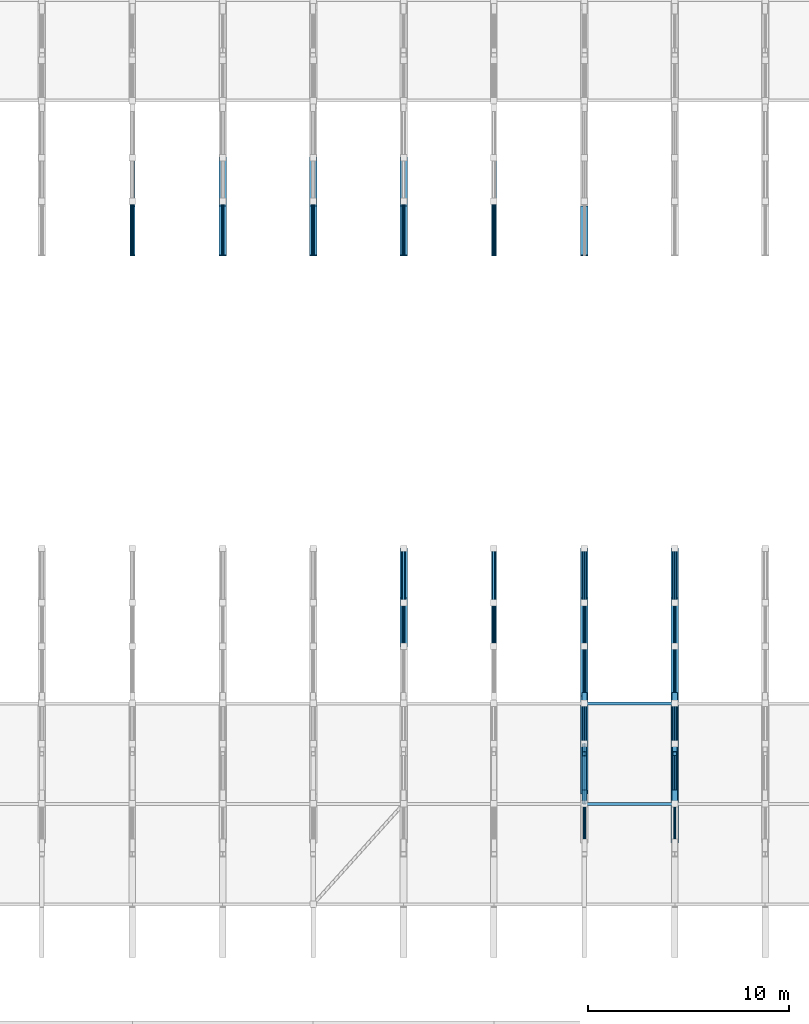
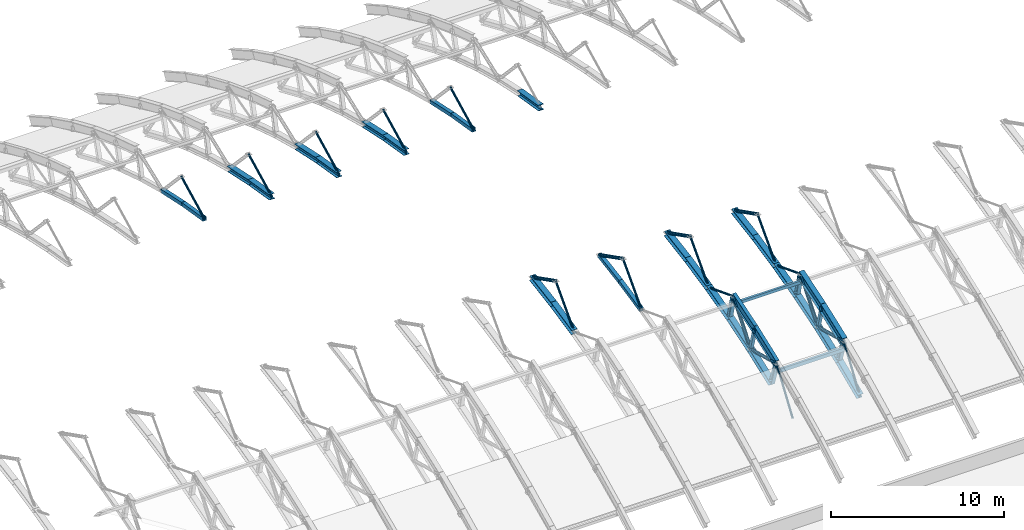
# One storey, part 43 of 103: 55 members, 4 beams.
"""IFC4 building model written with IfcOpenShell, lengths in metres."""

from ifc_helpers import new_model, si_unit, direction, frame, origin, origin_2d, place, context, subcontext, project, spatial, hollow_rectangle, hollow_circle, i_section, extrude, material, material_profile, profile_set, type_object, element, save


model = new_model("IFC4")

# Units and contexts
model_context = context("Model", 3, precision=1e-05, world=origin(), true_north=direction((0.0, 1.0)))
body_context = subcontext(model_context, "Body", "Model", "MODEL_VIEW")
ifc_project = project(units=[si_unit("LENGTHUNIT", "METRE"), si_unit("AREAUNIT", "SQUARE_METRE"), si_unit("VOLUMEUNIT", "CUBIC_METRE"), si_unit("PLANEANGLEUNIT", "RADIAN"), si_unit("MASSUNIT", "GRAM", prefix="KILO")], contexts=[model_context])

# Site, building, storey
site_placement = place(None, origin())
site = spatial("IfcSite", under=ifc_project, at=site_placement, CompositionType="ELEMENT")
building_placement = place(site_placement, origin())
building = spatial("IfcBuilding", under=site, at=building_placement, Name="Cazmaro Siding Exhibition Halls", CompositionType="ELEMENT")
storey_placement = place(building_placement, frame((0.0, 0.0, 16.5)))
storey = spatial("IfcBuildingStorey", under=building, at=storey_placement, Name="L03", CompositionType="ELEMENT", Elevation=16.5)

# Beams
ifc_material_1 = material(Name="Steel ASTM A992 Grade 50", Category="steel")
ifc_material_profile_1 = material_profile(ifc_material_1, i_section(OverallWidth=0.327880859375, OverallDepth=0.626953125, WebThickness=0.01708984375, FlangeThickness=0.028076171875, at=origin_2d()), Name="W24X146")
ifc_profile_set_1 = profile_set([ifc_material_profile_1], Name="Steel ASTM A992 Grade 50")
beam_type_1 = type_object("IfcBeamType", Name="AR-01", PredefinedType="USERDEFINED", material=ifc_profile_set_1)
beam_1_placement = place(storey_placement, frame((126.0, 74.0, 3.1220703125), z_axis=(0.0, 0.936509460339, 0.350642311615), x_axis=(-1.0, 0.0, 0.0)))
element("IfcBeam", 1, at=beam_1_placement, inside=storey, type_object=beam_type_1, Name="Space frame barrel vault arched rib AR-01 BM-0971", ObjectType="ARCHED RIB", PredefinedType="USERDEFINED", context=body_context, shape_type="SweptSolid", body=[
    extrude(i_section(OverallWidth=0.327880859375, OverallDepth=0.626953125, WebThickness=0.01708984375, FlangeThickness=0.028076171875, at=origin_2d()), origin(), (0.0, 0.0, 1.0), 2.66943359375),
])
beam_2_placement = place(storey_placement, frame((126.0, 76.5, 4.05810546875), z_axis=(0.0, 0.952769241759, 0.303695195811), x_axis=(-1.0, 0.0, 0.0)))
element("IfcBeam", 2, at=beam_2_placement, inside=storey, type_object=beam_type_1, Name="Space frame barrel vault arched rib AR-01 BM-0972", ObjectType="ARCHED RIB", PredefinedType="USERDEFINED", context=body_context, shape_type="SweptSolid", body=[
    extrude(i_section(OverallWidth=0.327880859375, OverallDepth=0.626953125, WebThickness=0.01708984375, FlangeThickness=0.028076171875, at=origin_2d()), origin(), (0.0, 0.0, 1.0), 2.6240234375),
])
ifc_material_2 = material(Name="Steel ASTM A992 Grade 50", Category="steel")
ifc_material_profile_2 = material_profile(ifc_material_2, i_section(OverallWidth=0.22900390625, OverallDepth=0.612060546875, WebThickness=0.011962890625, FlangeThickness=0.02001953125, at=origin_2d()), Name="W24X84")
ifc_profile_set_2 = profile_set([ifc_material_profile_2], Name="Steel ASTM A992 Grade 50")
beam_type_2 = type_object("IfcBeamType", Name="AR-03", PredefinedType="USERDEFINED", material=ifc_profile_set_2)
beam_3_placement = place(storey_placement, frame((121.5, 74.0, 3.1220703125), z_axis=(0.0, 0.936509460339, 0.350642311615), x_axis=(-1.0, 0.0, 0.0)))
element("IfcBeam", 3, at=beam_3_placement, inside=storey, type_object=beam_type_2, Name="Space frame barrel vault arched rib AR-03 BM-0947", ObjectType="ARCHED RIB", PredefinedType="USERDEFINED", context=body_context, shape_type="SweptSolid", body=[
    extrude(i_section(OverallWidth=0.22900390625, OverallDepth=0.612060546875, WebThickness=0.011962890625, FlangeThickness=0.02001953125, at=origin_2d()), origin(), (0.0, 0.0, 1.0), 2.66943359375),
])
beam_4_placement = place(storey_placement, frame((121.5, 76.5, 4.05810546875), z_axis=(0.0, 0.952769241759, 0.303695195811), x_axis=(-1.0, 0.0, 0.0)))
element("IfcBeam", 4, at=beam_4_placement, inside=storey, type_object=beam_type_2, Name="Space frame barrel vault arched rib AR-03 BM-0948", ObjectType="ARCHED RIB", PredefinedType="USERDEFINED", context=body_context, shape_type="SweptSolid", body=[
    extrude(i_section(OverallWidth=0.22900390625, OverallDepth=0.612060546875, WebThickness=0.011962890625, FlangeThickness=0.02001953125, at=origin_2d()), origin(), (0.0, 0.0, 1.0), 2.6240234375),
])

# Members
ifc_material_3 = material(Name="Steel ASTM A500 Grade C", Category="steel")
ifc_material_profile_3 = material_profile(ifc_material_3, hollow_rectangle(XDim=0.152099609375, YDim=0.202880859375, WallThickness=0.011962890625, at=origin_2d()), Name="HSS8X6X1/2")
ifc_profile_set_3 = profile_set([ifc_material_profile_3], Name="Steel ASTM A500 Grade C")
member_type_1 = type_object("IfcMemberType", Name="RP-01", PredefinedType="PURLIN", material=ifc_profile_set_3)
member_1_placement = place(storey_placement, frame((121.5, 79.0, 4.31494140625), z_axis=(1.0, 0.0, 0.0), x_axis=(0.0, 1.0, 0.0)))
element("IfcMember", 5, at=member_1_placement, inside=storey, type_object=member_type_1, Name="Space frame barrel vault purlin RP-01 MEM-2171", PredefinedType="PURLIN", context=body_context, shape_type="SweptSolid", body=[
    extrude(hollow_rectangle(XDim=0.152099609375, YDim=0.202880859375, WallThickness=0.011962890625, at=origin_2d()), origin(), (0.0, 0.0, 1.0), 4.5),
])
ifc_material_4 = material(Name="Steel ASTM A500 Grade C", Category="steel")
ifc_material_profile_4 = material_profile(ifc_material_4, hollow_rectangle(XDim=0.152099609375, YDim=0.25390625, WallThickness=0.011962890625, at=origin_2d()), Name="HSS10X6X1/2")
ifc_profile_set_4 = profile_set([ifc_material_profile_4], Name="Steel ASTM A500 Grade C")
member_type_2 = type_object("IfcMemberType", Name="RP-04", PredefinedType="PURLIN", material=ifc_profile_set_4)
member_2_placement = place(storey_placement, frame((121.5, 74.0, 2.58203125), z_axis=(1.0, 0.0, 0.0), x_axis=(0.0, 1.0, 0.0)))
element("IfcMember", 6, at=member_2_placement, inside=storey, type_object=member_type_2, Name="Space frame barrel vault purlin RP-04 MEM-2170", PredefinedType="PURLIN", context=body_context, shape_type="SweptSolid", body=[
    extrude(hollow_rectangle(XDim=0.152099609375, YDim=0.25390625, WallThickness=0.011962890625, at=origin_2d()), origin(), (0.0, 0.0, 1.0), 4.5),
])
ifc_material_5 = material(Name="Steel ASTM A500 Grade C", Category="steel")
ifc_material_profile_5 = material_profile(ifc_material_5, hollow_rectangle(XDim=0.25390625, YDim=0.25390625, WallThickness=0.014892578125, at=origin_2d()), Name="HSS10X10X5/8")
ifc_profile_set_5 = profile_set([ifc_material_profile_5], Name="Steel ASTM A500 Grade C")
member_type_3 = type_object("IfcMemberType", Name="TC-01", PredefinedType="CHORD", material=ifc_profile_set_5)
member_3_placement = place(storey_placement, frame((99.0, 101.2900390625, 4.68701171875), z_axis=(0.0, 0.986455464336, -0.164029317138), x_axis=(-1.0, 0.0, 0.0)))
element("IfcMember", 7, at=member_3_placement, inside=storey, type_object=member_type_3, Name="Space frame barrel vault bottom chord TC-01 MEM-0835", PredefinedType="CHORD", context=body_context, shape_type="SweptSolid", body=[
    extrude(hollow_rectangle(XDim=0.25390625, YDim=0.25390625, WallThickness=0.014892578125, at=origin_2d()), origin(), (0.0, 0.0, 1.0), 2.46337890625),
])
for number, where, z_axis, x_axis, name in (
    (8, (99.0, 103.719970703125, 4.282958984375), (0.0, 0.977697351532, -0.210018782033), (-1.0, 0.0, 0.0), "Space frame barrel vault bottom chord TC-01 MEM-0837"),
    (9, (117.0, 81.85009765625, 3.760986328125), (0.0, 0.977697351532, 0.210018782033), (-1.0, 0.0, 0.0), "Space frame barrel vault bottom chord TC-01 MEM-1103"),
):
    element("IfcMember", number, at=place(storey_placement, frame(where, z_axis=z_axis, x_axis=x_axis)), inside=storey, type_object=member_type_3, Name=name, PredefinedType="CHORD", context=body_context, shape_type="SweptSolid", body=[
        extrude(hollow_rectangle(XDim=0.25390625, YDim=0.25390625, WallThickness=0.014892578125, at=origin_2d()), origin(), (0.0, 0.0, 1.0), 2.4853515625),
    ])
for number, where, z_axis, x_axis, name in (
    (10, (117.0, 84.280029296875, 4.282958984375), (0.0, 0.986455464336, 0.164029317138), (-1.0, 0.0, 0.0), "Space frame barrel vault bottom chord TC-01 MEM-1105"),
    (11, (117.0, 101.2900390625, 4.68701171875), (0.0, 0.986455464336, -0.164029317138), (-1.0, 0.0, 0.0), "Space frame barrel vault bottom chord TC-01 MEM-1119"),
):
    element("IfcMember", number, at=place(storey_placement, frame(where, z_axis=z_axis, x_axis=x_axis)), inside=storey, type_object=member_type_3, Name=name, PredefinedType="CHORD", context=body_context, shape_type="SweptSolid", body=[
        extrude(hollow_rectangle(XDim=0.25390625, YDim=0.25390625, WallThickness=0.014892578125, at=origin_2d()), origin(), (0.0, 0.0, 1.0), 2.46337890625),
    ])
member_4_placement = place(storey_placement, frame((117.0, 103.719970703125, 4.282958984375), z_axis=(0.0, 0.977697351532, -0.210018782033), x_axis=(-1.0, 0.0, 0.0)))
element("IfcMember", 12, at=member_4_placement, inside=storey, type_object=member_type_3, Name="Space frame barrel vault bottom chord TC-01 MEM-1121", PredefinedType="CHORD", context=body_context, shape_type="SweptSolid", body=[
    extrude(hollow_rectangle(XDim=0.25390625, YDim=0.25390625, WallThickness=0.014892578125, at=origin_2d()), origin(), (0.0, 0.0, 1.0), 2.4853515625),
])
ifc_material_6 = material(Name="Steel ASTM A992 Grade 50", Category="steel")
ifc_material_profile_6 = material_profile(ifc_material_6, i_section(OverallWidth=0.37109375, OverallDepth=0.364013671875, WebThickness=0.012939453125, FlangeThickness=0.02197265625, at=origin_2d()), Name="W14X109")
ifc_profile_set_6 = profile_set([ifc_material_profile_6], Name="Steel ASTM A992 Grade 50")
member_type_4 = type_object("IfcMemberType", Name="TC-06", PredefinedType="CHORD", material=ifc_profile_set_6)
member_5_placement = place(storey_placement, frame((103.5, 101.2900390625, 4.68701171875), z_axis=(0.0, 0.986455464336, -0.164029317138), x_axis=(-1.0, 0.0, 0.0)))
element("IfcMember", 13, at=member_5_placement, inside=storey, type_object=member_type_4, Name="Space frame barrel vault bottom chord TC-06 MEM-0906", PredefinedType="CHORD", context=body_context, shape_type="SweptSolid", body=[
    extrude(i_section(OverallWidth=0.37109375, OverallDepth=0.364013671875, WebThickness=0.012939453125, FlangeThickness=0.02197265625, at=origin_2d()), origin(), (0.0, 0.0, 1.0), 2.46337890625),
])
member_6_placement = place(storey_placement, frame((103.5, 103.719970703125, 4.282958984375), z_axis=(0.0, 0.977697351532, -0.210018782033), x_axis=(-1.0, 0.0, 0.0)))
element("IfcMember", 14, at=member_6_placement, inside=storey, type_object=member_type_4, Name="Space frame barrel vault bottom chord TC-06 MEM-0908", PredefinedType="CHORD", context=body_context, shape_type="SweptSolid", body=[
    extrude(i_section(OverallWidth=0.37109375, OverallDepth=0.364013671875, WebThickness=0.012939453125, FlangeThickness=0.02197265625, at=origin_2d()), origin(), (0.0, 0.0, 1.0), 2.4853515625),
])
member_7_placement = place(storey_placement, frame((108.0, 101.2900390625, 4.68701171875), z_axis=(0.0, 0.986455464336, -0.164029317138), x_axis=(-1.0, 0.0, 0.0)))
element("IfcMember", 15, at=member_7_placement, inside=storey, type_object=member_type_4, Name="Space frame barrel vault bottom chord TC-06 MEM-0977", PredefinedType="CHORD", context=body_context, shape_type="SweptSolid", body=[
    extrude(i_section(OverallWidth=0.37109375, OverallDepth=0.364013671875, WebThickness=0.012939453125, FlangeThickness=0.02197265625, at=origin_2d()), origin(), (0.0, 0.0, 1.0), 2.46337890625),
])
for number, where, z_axis, x_axis, name in (
    (16, (108.0, 103.719970703125, 4.282958984375), (0.0, 0.977697351532, -0.210018782033), (-1.0, 0.0, 0.0), "Space frame barrel vault bottom chord TC-06 MEM-0979"),
    (17, (112.5, 81.85009765625, 3.760986328125), (0.0, 0.977697351532, 0.210018782033), (-1.0, 0.0, 0.0), "Space frame barrel vault bottom chord TC-06 MEM-1032"),
):
    element("IfcMember", number, at=place(storey_placement, frame(where, z_axis=z_axis, x_axis=x_axis)), inside=storey, type_object=member_type_4, Name=name, PredefinedType="CHORD", context=body_context, shape_type="SweptSolid", body=[
        extrude(i_section(OverallWidth=0.37109375, OverallDepth=0.364013671875, WebThickness=0.012939453125, FlangeThickness=0.02197265625, at=origin_2d()), origin(), (0.0, 0.0, 1.0), 2.4853515625),
    ])
for number, where, z_axis, x_axis, name in (
    (18, (112.5, 84.280029296875, 4.282958984375), (0.0, 0.986455464336, 0.164029317138), (-1.0, 0.0, 0.0), "Space frame barrel vault bottom chord TC-06 MEM-1034"),
    (19, (112.5, 101.2900390625, 4.68701171875), (0.0, 0.986455464336, -0.164029317138), (-1.0, 0.0, 0.0), "Space frame barrel vault bottom chord TC-06 MEM-1048"),
):
    element("IfcMember", number, at=place(storey_placement, frame(where, z_axis=z_axis, x_axis=x_axis)), inside=storey, type_object=member_type_4, Name=name, PredefinedType="CHORD", context=body_context, shape_type="SweptSolid", body=[
        extrude(i_section(OverallWidth=0.37109375, OverallDepth=0.364013671875, WebThickness=0.012939453125, FlangeThickness=0.02197265625, at=origin_2d()), origin(), (0.0, 0.0, 1.0), 2.46337890625),
    ])
member_8_placement = place(storey_placement, frame((112.5, 103.719970703125, 4.282958984375), z_axis=(0.0, 0.977697351532, -0.210018782033), x_axis=(-1.0, 0.0, 0.0)))
element("IfcMember", 20, at=member_8_placement, inside=storey, type_object=member_type_4, Name="Space frame barrel vault bottom chord TC-06 MEM-1050", PredefinedType="CHORD", context=body_context, shape_type="SweptSolid", body=[
    extrude(i_section(OverallWidth=0.37109375, OverallDepth=0.364013671875, WebThickness=0.012939453125, FlangeThickness=0.02197265625, at=origin_2d()), origin(), (0.0, 0.0, 1.0), 2.4853515625),
])
member_9_placement = place(storey_placement, frame((121.5, 74.56103515625, 1.430908203125), z_axis=(0.0, 0.936588022869, 0.350432412053), x_axis=(-1.0, 0.0, 0.0)))
element("IfcMember", 21, at=member_9_placement, inside=storey, type_object=member_type_4, Name="Space frame barrel vault bottom chord TC-06 MEM-1168", PredefinedType="CHORD", context=body_context, shape_type="SweptSolid", body=[
    extrude(i_section(OverallWidth=0.37109375, OverallDepth=0.364013671875, WebThickness=0.012939453125, FlangeThickness=0.02197265625, at=origin_2d()), origin(), (0.0, 0.0, 1.0), 2.594482421875),
])
member_10_placement = place(storey_placement, frame((121.5, 76.990966796875, 2.340087890625), z_axis=(0.0, 0.952692842525, 0.303934775573), x_axis=(-1.0, 0.0, 0.0)))
element("IfcMember", 22, at=member_10_placement, inside=storey, type_object=member_type_4, Name="Space frame barrel vault bottom chord TC-06 MEM-1170", PredefinedType="CHORD", context=body_context, shape_type="SweptSolid", body=[
    extrude(i_section(OverallWidth=0.37109375, OverallDepth=0.364013671875, WebThickness=0.012939453125, FlangeThickness=0.02197265625, at=origin_2d()), origin(), (0.0, 0.0, 1.0), 2.549560546875),
])
member_11_placement = place(storey_placement, frame((121.5, 79.419921875, 3.114990234375), z_axis=(0.0, 0.966437683387, 0.256901156343), x_axis=(-1.0, 0.0, 0.0)))
element("IfcMember", 23, at=member_11_placement, inside=storey, type_object=member_type_4, Name="Space frame barrel vault bottom chord TC-06 MEM-1172", PredefinedType="CHORD", context=body_context, shape_type="SweptSolid", body=[
    extrude(i_section(OverallWidth=0.37109375, OverallDepth=0.364013671875, WebThickness=0.012939453125, FlangeThickness=0.02197265625, at=origin_2d()), origin(), (0.0, 0.0, 1.0), 2.5146484375),
])
member_12_placement = place(storey_placement, frame((121.5, 81.85009765625, 3.760986328125), z_axis=(0.0, 0.977697351532, 0.210018782033), x_axis=(-1.0, 0.0, 0.0)))
element("IfcMember", 24, at=member_12_placement, inside=storey, type_object=member_type_4, Name="Space frame barrel vault bottom chord TC-06 MEM-1174", PredefinedType="CHORD", context=body_context, shape_type="SweptSolid", body=[
    extrude(i_section(OverallWidth=0.37109375, OverallDepth=0.364013671875, WebThickness=0.012939453125, FlangeThickness=0.02197265625, at=origin_2d()), origin(), (0.0, 0.0, 1.0), 2.4853515625),
])
for number, where, z_axis, x_axis, name in (
    (25, (121.5, 84.280029296875, 4.282958984375), (0.0, 0.986455464336, 0.164029317138), (-1.0, 0.0, 0.0), "Space frame barrel vault bottom chord TC-06 MEM-1176"),
    (26, (121.5, 101.2900390625, 4.68701171875), (0.0, 0.986455464336, -0.164029317138), (-1.0, 0.0, 0.0), "Space frame barrel vault bottom chord TC-06 MEM-1190"),
):
    element("IfcMember", number, at=place(storey_placement, frame(where, z_axis=z_axis, x_axis=x_axis)), inside=storey, type_object=member_type_4, Name=name, PredefinedType="CHORD", context=body_context, shape_type="SweptSolid", body=[
        extrude(i_section(OverallWidth=0.37109375, OverallDepth=0.364013671875, WebThickness=0.012939453125, FlangeThickness=0.02197265625, at=origin_2d()), origin(), (0.0, 0.0, 1.0), 2.46337890625),
    ])
member_13_placement = place(storey_placement, frame((126.0, 72.131103515625, 0.37890625), z_axis=(0.0, 0.917689003843, 0.397299499403), x_axis=(-1.0, 0.0, 0.0)))
element("IfcMember", 27, at=member_13_placement, inside=storey, type_object=member_type_4, Name="Space frame barrel vault bottom chord TC-06 MEM-1237", PredefinedType="CHORD", context=body_context, shape_type="SweptSolid", body=[
    extrude(i_section(OverallWidth=0.37109375, OverallDepth=0.364013671875, WebThickness=0.012939453125, FlangeThickness=0.02197265625, at=origin_2d()), origin(), (0.0, 0.0, 1.0), 2.64794921875),
])
member_14_placement = place(storey_placement, frame((126.0, 74.56103515625, 1.430908203125), z_axis=(0.0, 0.936588022869, 0.350432412053), x_axis=(-1.0, 0.0, 0.0)))
element("IfcMember", 28, at=member_14_placement, inside=storey, type_object=member_type_4, Name="Space frame barrel vault bottom chord TC-06 MEM-1239", PredefinedType="CHORD", context=body_context, shape_type="SweptSolid", body=[
    extrude(i_section(OverallWidth=0.37109375, OverallDepth=0.364013671875, WebThickness=0.012939453125, FlangeThickness=0.02197265625, at=origin_2d()), origin(), (0.0, 0.0, 1.0), 2.594482421875),
])
member_15_placement = place(storey_placement, frame((126.0, 76.990966796875, 2.340087890625), z_axis=(0.0, 0.952692842525, 0.303934775573), x_axis=(-1.0, 0.0, 0.0)))
element("IfcMember", 29, at=member_15_placement, inside=storey, type_object=member_type_4, Name="Space frame barrel vault bottom chord TC-06 MEM-1241", PredefinedType="CHORD", context=body_context, shape_type="SweptSolid", body=[
    extrude(i_section(OverallWidth=0.37109375, OverallDepth=0.364013671875, WebThickness=0.012939453125, FlangeThickness=0.02197265625, at=origin_2d()), origin(), (0.0, 0.0, 1.0), 2.549560546875),
])
member_16_placement = place(storey_placement, frame((126.0, 79.419921875, 3.114990234375), z_axis=(0.0, 0.966437683387, 0.256901156343), x_axis=(-1.0, 0.0, 0.0)))
element("IfcMember", 30, at=member_16_placement, inside=storey, type_object=member_type_4, Name="Space frame barrel vault bottom chord TC-06 MEM-1243", PredefinedType="CHORD", context=body_context, shape_type="SweptSolid", body=[
    extrude(i_section(OverallWidth=0.37109375, OverallDepth=0.364013671875, WebThickness=0.012939453125, FlangeThickness=0.02197265625, at=origin_2d()), origin(), (0.0, 0.0, 1.0), 2.5146484375),
])
member_17_placement = place(storey_placement, frame((126.0, 81.85009765625, 3.760986328125), z_axis=(0.0, 0.977697351532, 0.210018782033), x_axis=(-1.0, 0.0, 0.0)))
element("IfcMember", 31, at=member_17_placement, inside=storey, type_object=member_type_4, Name="Space frame barrel vault bottom chord TC-06 MEM-1245", PredefinedType="CHORD", context=body_context, shape_type="SweptSolid", body=[
    extrude(i_section(OverallWidth=0.37109375, OverallDepth=0.364013671875, WebThickness=0.012939453125, FlangeThickness=0.02197265625, at=origin_2d()), origin(), (0.0, 0.0, 1.0), 2.4853515625),
])
member_18_placement = place(storey_placement, frame((126.0, 84.280029296875, 4.282958984375), z_axis=(0.0, 0.986455464336, 0.164029317138), x_axis=(-1.0, 0.0, 0.0)))
element("IfcMember", 32, at=member_18_placement, inside=storey, type_object=member_type_4, Name="Space frame barrel vault bottom chord TC-06 MEM-1247", PredefinedType="CHORD", context=body_context, shape_type="SweptSolid", body=[
    extrude(i_section(OverallWidth=0.37109375, OverallDepth=0.364013671875, WebThickness=0.012939453125, FlangeThickness=0.02197265625, at=origin_2d()), origin(), (0.0, 0.0, 1.0), 2.46337890625),
])
ifc_material_7 = material(Name="Steel ASTM A500 Grade C", Category="steel")
ifc_material_profile_7 = material_profile(ifc_material_7, hollow_rectangle(XDim=0.202880859375, YDim=0.202880859375, WallThickness=0.011962890625, at=origin_2d()), Name="HSS8X8X1/2")
ifc_profile_set_7 = profile_set([ifc_material_profile_7], Name="Steel ASTM A500 Grade C")
member_type_5 = type_object("IfcMemberType", Name="TP-01", PredefinedType="POST", material=ifc_profile_set_7)
for number, where, z_axis, x_axis, name in (
    (33, (121.5, 76.990966796875, 2.340087890625), (0.0, -0.274775266308, 0.961508477875), (1.0, 0.0, 0.0), "Space frame barrel vault post TP-01 MEM-1212"),
    (34, (126.0, 76.990966796875, 2.340087890625), (0.0, -0.274775266308, 0.961508477875), (1.0, 0.0, 0.0), "Space frame barrel vault post TP-01 MEM-1283"),
):
    element("IfcMember", number, at=place(storey_placement, frame(where, z_axis=z_axis, x_axis=x_axis)), inside=storey, type_object=member_type_5, Name=name, PredefinedType="POST", context=body_context, shape_type="SweptSolid", body=[
        extrude(hollow_rectangle(XDim=0.202880859375, YDim=0.202880859375, WallThickness=0.011962890625, at=origin_2d()), origin(), (0.0, 0.0, 1.0), 1.786865234375),
    ])
ifc_material_8 = material(Name="Steel ASTM A992 Grade 50", Category="steel")
ifc_material_profile_8 = material_profile(ifc_material_8, i_section(OverallWidth=0.25390625, OverallDepth=0.25390625, WebThickness=0.009033203125, FlangeThickness=0.013916015625, at=origin_2d()), Name="W10X49")
ifc_profile_set_8 = profile_set([ifc_material_profile_8], Name="Steel ASTM A992 Grade 50")
member_type_6 = type_object("IfcMemberType", Name="TP-04", PredefinedType="POST", material=ifc_profile_set_8)
member_19_placement = place(storey_placement, frame((121.5, 74.56103515625, 1.430908203125), z_axis=(0.0, -0.314870949103, 0.949134492794), x_axis=(1.0, 0.0, 0.0)))
element("IfcMember", 35, at=member_19_placement, inside=storey, type_object=member_type_6, Name="Space frame barrel vault post TP-04 MEM-1211", PredefinedType="POST", context=body_context, shape_type="SweptSolid", body=[
    extrude(i_section(OverallWidth=0.25390625, OverallDepth=0.25390625, WebThickness=0.009033203125, FlangeThickness=0.013916015625, at=origin_2d()), origin(), (0.0, 0.0, 1.0), 1.78173828125),
])
member_20_placement = place(storey_placement, frame((121.5, 79.419921875, 3.114990234375), z_axis=(0.0, -0.234600533729, 0.972091862724), x_axis=(1.0, 0.0, 0.0)))
element("IfcMember", 36, at=member_20_placement, inside=storey, type_object=member_type_6, Name="Space frame barrel vault post TP-04 MEM-1213", PredefinedType="POST", context=body_context, shape_type="SweptSolid", body=[
    extrude(i_section(OverallWidth=0.25390625, OverallDepth=0.25390625, WebThickness=0.009033203125, FlangeThickness=0.013916015625, at=origin_2d()), origin(), (0.0, 0.0, 1.0), 1.7900390625),
])
member_21_placement = place(storey_placement, frame((126.0, 74.56103515625, 1.430908203125), z_axis=(0.0, -0.314870949103, 0.949134492794), x_axis=(1.0, 0.0, 0.0)))
element("IfcMember", 37, at=member_21_placement, inside=storey, type_object=member_type_6, Name="Space frame barrel vault post TP-04 MEM-1282", PredefinedType="POST", context=body_context, shape_type="SweptSolid", body=[
    extrude(i_section(OverallWidth=0.25390625, OverallDepth=0.25390625, WebThickness=0.009033203125, FlangeThickness=0.013916015625, at=origin_2d()), origin(), (0.0, 0.0, 1.0), 1.78173828125),
])
member_22_placement = place(storey_placement, frame((126.0, 79.419921875, 3.114990234375), z_axis=(0.0, -0.234600533729, 0.972091862724), x_axis=(1.0, 0.0, 0.0)))
element("IfcMember", 38, at=member_22_placement, inside=storey, type_object=member_type_6, Name="Space frame barrel vault post TP-04 MEM-1284", PredefinedType="POST", context=body_context, shape_type="SweptSolid", body=[
    extrude(i_section(OverallWidth=0.25390625, OverallDepth=0.25390625, WebThickness=0.009033203125, FlangeThickness=0.013916015625, at=origin_2d()), origin(), (0.0, 0.0, 1.0), 1.7900390625),
])
ifc_material_9 = material(Name="Steel ASTM A500 Grade C", Category="steel")
ifc_material_profile_9 = material_profile(ifc_material_9, hollow_circle(Radius=0.109619140625, WallThickness=0.012939453125, at=origin_2d()), Name="PIPE8XS")
ifc_profile_set_9 = profile_set([ifc_material_profile_9], Name="Steel ASTM A500 Grade C")
member_type_7 = type_object("IfcMemberType", Name="WB-01", PredefinedType="BRACE", material=ifc_profile_set_9)
for number, where, z_axis, x_axis, name in (
    (39, (112.5, 84.0, 6.056884765625), (0.0, 0.892456788218, -0.451132886369), (-1.0, 0.0, 0.0), "Space frame barrel vault diagonal WB-01 MEM-1035"),
    (40, (117.0, 84.0, 6.056884765625), (0.0, 0.892456788218, -0.451132886369), (-1.0, 0.0, 0.0), "Space frame barrel vault diagonal WB-01 MEM-1106"),
):
    element("IfcMember", number, at=place(storey_placement, frame(where, z_axis=z_axis, x_axis=x_axis)), inside=storey, type_object=member_type_7, Name=name, PredefinedType="BRACE", context=body_context, shape_type="SweptSolid", body=[
        extrude(hollow_circle(Radius=0.109619140625, WallThickness=0.012939453125, at=origin_2d()), origin(), (0.0, 0.0, 1.0), 3.03662109375),
    ])
member_23_placement = place(storey_placement, frame((121.5, 74.0, 3.1220703125), z_axis=(0.0, 0.967480432857, -0.252945867802), x_axis=(-1.0, 0.0, 0.0)))
element("IfcMember", 41, at=member_23_placement, inside=storey, type_object=member_type_7, Name="Space frame barrel vault diagonal WB-01 MEM-1169", PredefinedType="BRACE", context=body_context, shape_type="SweptSolid", body=[
    extrude(hollow_circle(Radius=0.109619140625, WallThickness=0.012939453125, at=origin_2d()), origin(), (0.0, 0.0, 1.0), 3.091552734375),
])
member_24_placement = place(storey_placement, frame((121.5, 76.990966796875, 2.340087890625), z_axis=(0.0, 0.624149162907, 0.781305204412), x_axis=(-1.0, 0.0, 0.0)))
element("IfcMember", 42, at=member_24_placement, inside=storey, type_object=member_type_7, Name="Space frame barrel vault diagonal WB-01 MEM-1171", PredefinedType="BRACE", context=body_context, shape_type="SweptSolid", body=[
    extrude(hollow_circle(Radius=0.109619140625, WallThickness=0.012939453125, at=origin_2d()), origin(), (0.0, 0.0, 1.0), 3.21875),
])
member_25_placement = place(storey_placement, frame((121.5, 84.0, 6.056884765625), z_axis=(0.0, 0.892456788218, -0.451132886369), x_axis=(-1.0, 0.0, 0.0)))
element("IfcMember", 43, at=member_25_placement, inside=storey, type_object=member_type_7, Name="Space frame barrel vault diagonal WB-01 MEM-1177", PredefinedType="BRACE", context=body_context, shape_type="SweptSolid", body=[
    extrude(hollow_circle(Radius=0.109619140625, WallThickness=0.012939453125, at=origin_2d()), origin(), (0.0, 0.0, 1.0), 3.03662109375),
])
member_26_placement = place(storey_placement, frame((126.0, 74.0, 3.1220703125), z_axis=(0.0, 0.967480432857, -0.252945867802), x_axis=(-1.0, 0.0, 0.0)))
element("IfcMember", 44, at=member_26_placement, inside=storey, type_object=member_type_7, Name="Space frame barrel vault diagonal WB-01 MEM-1240", PredefinedType="BRACE", context=body_context, shape_type="SweptSolid", body=[
    extrude(hollow_circle(Radius=0.109619140625, WallThickness=0.012939453125, at=origin_2d()), origin(), (0.0, 0.0, 1.0), 3.091552734375),
])
member_27_placement = place(storey_placement, frame((126.0, 76.990966796875, 2.340087890625), z_axis=(0.0, 0.624149162907, 0.781305204412), x_axis=(-1.0, 0.0, 0.0)))
element("IfcMember", 45, at=member_27_placement, inside=storey, type_object=member_type_7, Name="Space frame barrel vault diagonal WB-01 MEM-1242", PredefinedType="BRACE", context=body_context, shape_type="SweptSolid", body=[
    extrude(hollow_circle(Radius=0.109619140625, WallThickness=0.012939453125, at=origin_2d()), origin(), (0.0, 0.0, 1.0), 3.21875),
])
member_28_placement = place(storey_placement, frame((126.0, 84.0, 6.056884765625), z_axis=(0.0, 0.892456788218, -0.451132886369), x_axis=(-1.0, 0.0, 0.0)))
element("IfcMember", 46, at=member_28_placement, inside=storey, type_object=member_type_7, Name="Space frame barrel vault diagonal WB-01 MEM-1248", PredefinedType="BRACE", context=body_context, shape_type="SweptSolid", body=[
    extrude(hollow_circle(Radius=0.109619140625, WallThickness=0.012939453125, at=origin_2d()), origin(), (0.0, 0.0, 1.0), 3.03662109375),
])
ifc_material_10 = material(Name="Steel ASTM A500 Grade C", Category="steel")
ifc_material_profile_10 = material_profile(ifc_material_10, hollow_circle(Radius=0.070556640625, WallThickness=0.01904296875, at=origin_2d()), Name="PIPE5XXS")
ifc_profile_set_10 = profile_set([ifc_material_profile_10], Name="Steel ASTM A500 Grade C")
member_type_8 = type_object("IfcMemberType", Name="WB-07", PredefinedType="BRACE", material=ifc_profile_set_10)
for number, where, z_axis, x_axis, name in (
    (47, (99.0, 101.2900390625, 4.68701171875), (0.0, 0.892456788218, 0.451132886369), (-1.0, 0.0, 0.0), "Space frame barrel vault diagonal WB-07 MEM-0836"),
    (48, (103.5, 101.2900390625, 4.68701171875), (0.0, 0.892456788218, 0.451132886369), (-1.0, 0.0, 0.0), "Space frame barrel vault diagonal WB-07 MEM-0907"),
    (49, (108.0, 101.2900390625, 4.68701171875), (0.0, 0.892456788218, 0.451132886369), (-1.0, 0.0, 0.0), "Space frame barrel vault diagonal WB-07 MEM-0978"),
):
    element("IfcMember", number, at=place(storey_placement, frame(where, z_axis=z_axis, x_axis=x_axis)), inside=storey, type_object=member_type_8, Name=name, PredefinedType="BRACE", context=body_context, shape_type="SweptSolid", body=[
        extrude(hollow_circle(Radius=0.070556640625, WallThickness=0.01904296875, at=origin_2d()), origin(), (0.0, 0.0, 1.0), 3.03662109375),
    ])
member_29_placement = place(storey_placement, frame((112.5, 81.85009765625, 3.760986328125), z_axis=(0.0, 0.683517575744, 0.729934054315), x_axis=(-1.0, 0.0, 0.0)))
element("IfcMember", 50, at=member_29_placement, inside=storey, type_object=member_type_8, Name="Space frame barrel vault diagonal WB-07 MEM-1033", PredefinedType="BRACE", context=body_context, shape_type="SweptSolid", body=[
    extrude(hollow_circle(Radius=0.070556640625, WallThickness=0.01904296875, at=origin_2d()), origin(), (0.0, 0.0, 1.0), 3.145263671875),
])
member_30_placement = place(storey_placement, frame((112.5, 101.2900390625, 4.68701171875), z_axis=(0.0, 0.892456788218, 0.451132886369), x_axis=(-1.0, 0.0, 0.0)))
element("IfcMember", 51, at=member_30_placement, inside=storey, type_object=member_type_8, Name="Space frame barrel vault diagonal WB-07 MEM-1049", PredefinedType="BRACE", context=body_context, shape_type="SweptSolid", body=[
    extrude(hollow_circle(Radius=0.070556640625, WallThickness=0.01904296875, at=origin_2d()), origin(), (0.0, 0.0, 1.0), 3.03662109375),
])
member_31_placement = place(storey_placement, frame((117.0, 81.85009765625, 3.760986328125), z_axis=(0.0, 0.683517575744, 0.729934054315), x_axis=(-1.0, 0.0, 0.0)))
element("IfcMember", 52, at=member_31_placement, inside=storey, type_object=member_type_8, Name="Space frame barrel vault diagonal WB-07 MEM-1104", PredefinedType="BRACE", context=body_context, shape_type="SweptSolid", body=[
    extrude(hollow_circle(Radius=0.070556640625, WallThickness=0.01904296875, at=origin_2d()), origin(), (0.0, 0.0, 1.0), 3.145263671875),
])
member_32_placement = place(storey_placement, frame((117.0, 101.2900390625, 4.68701171875), z_axis=(0.0, 0.892456788218, 0.451132886369), x_axis=(-1.0, 0.0, 0.0)))
element("IfcMember", 53, at=member_32_placement, inside=storey, type_object=member_type_8, Name="Space frame barrel vault diagonal WB-07 MEM-1120", PredefinedType="BRACE", context=body_context, shape_type="SweptSolid", body=[
    extrude(hollow_circle(Radius=0.070556640625, WallThickness=0.01904296875, at=origin_2d()), origin(), (0.0, 0.0, 1.0), 3.03662109375),
])
member_33_placement = place(storey_placement, frame((121.5, 72.131103515625, 0.37890625), z_axis=(0.0, 0.563040090795, 0.826429583302), x_axis=(-1.0, 0.0, 0.0)))
element("IfcMember", 54, at=member_33_placement, inside=storey, type_object=member_type_8, Name="Space frame barrel vault diagonal WB-07 MEM-1167", PredefinedType="BRACE", context=body_context, shape_type="SweptSolid", body=[
    extrude(hollow_circle(Radius=0.070556640625, WallThickness=0.01904296875, at=origin_2d()), origin(), (0.0, 0.0, 1.0), 3.3193359375),
])
member_34_placement = place(storey_placement, frame((121.5, 79.0, 4.85498046875), z_axis=(0.0, 0.933586546586, -0.358352005761), x_axis=(-1.0, 0.0, 0.0)))
element("IfcMember", 55, at=member_34_placement, inside=storey, type_object=member_type_8, Name="Space frame barrel vault diagonal WB-07 MEM-1173", PredefinedType="BRACE", context=body_context, shape_type="SweptSolid", body=[
    extrude(hollow_circle(Radius=0.070556640625, WallThickness=0.01904296875, at=origin_2d()), origin(), (0.0, 0.0, 1.0), 3.052734375),
])
member_35_placement = place(storey_placement, frame((121.5, 81.85009765625, 3.760986328125), z_axis=(0.0, 0.683517575744, 0.729934054315), x_axis=(-1.0, 0.0, 0.0)))
element("IfcMember", 56, at=member_35_placement, inside=storey, type_object=member_type_8, Name="Space frame barrel vault diagonal WB-07 MEM-1175", PredefinedType="BRACE", context=body_context, shape_type="SweptSolid", body=[
    extrude(hollow_circle(Radius=0.070556640625, WallThickness=0.01904296875, at=origin_2d()), origin(), (0.0, 0.0, 1.0), 3.145263671875),
])
member_36_placement = place(storey_placement, frame((126.0, 72.131103515625, 0.37890625), z_axis=(0.0, 0.563040090795, 0.826429583302), x_axis=(-1.0, 0.0, 0.0)))
element("IfcMember", 57, at=member_36_placement, inside=storey, type_object=member_type_8, Name="Space frame barrel vault diagonal WB-07 MEM-1238", PredefinedType="BRACE", context=body_context, shape_type="SweptSolid", body=[
    extrude(hollow_circle(Radius=0.070556640625, WallThickness=0.01904296875, at=origin_2d()), origin(), (0.0, 0.0, 1.0), 3.3193359375),
])
member_37_placement = place(storey_placement, frame((126.0, 79.0, 4.85498046875), z_axis=(0.0, 0.933586546586, -0.358352005761), x_axis=(-1.0, 0.0, 0.0)))
element("IfcMember", 58, at=member_37_placement, inside=storey, type_object=member_type_8, Name="Space frame barrel vault diagonal WB-07 MEM-1244", PredefinedType="BRACE", context=body_context, shape_type="SweptSolid", body=[
    extrude(hollow_circle(Radius=0.070556640625, WallThickness=0.01904296875, at=origin_2d()), origin(), (0.0, 0.0, 1.0), 3.052734375),
])
member_38_placement = place(storey_placement, frame((126.0, 81.85009765625, 3.760986328125), z_axis=(0.0, 0.683517575744, 0.729934054315), x_axis=(-1.0, 0.0, 0.0)))
element("IfcMember", 59, at=member_38_placement, inside=storey, type_object=member_type_8, Name="Space frame barrel vault diagonal WB-07 MEM-1246", PredefinedType="BRACE", context=body_context, shape_type="SweptSolid", body=[
    extrude(hollow_circle(Radius=0.070556640625, WallThickness=0.01904296875, at=origin_2d()), origin(), (0.0, 0.0, 1.0), 3.145263671875),
])

save(model, "model.ifc")
